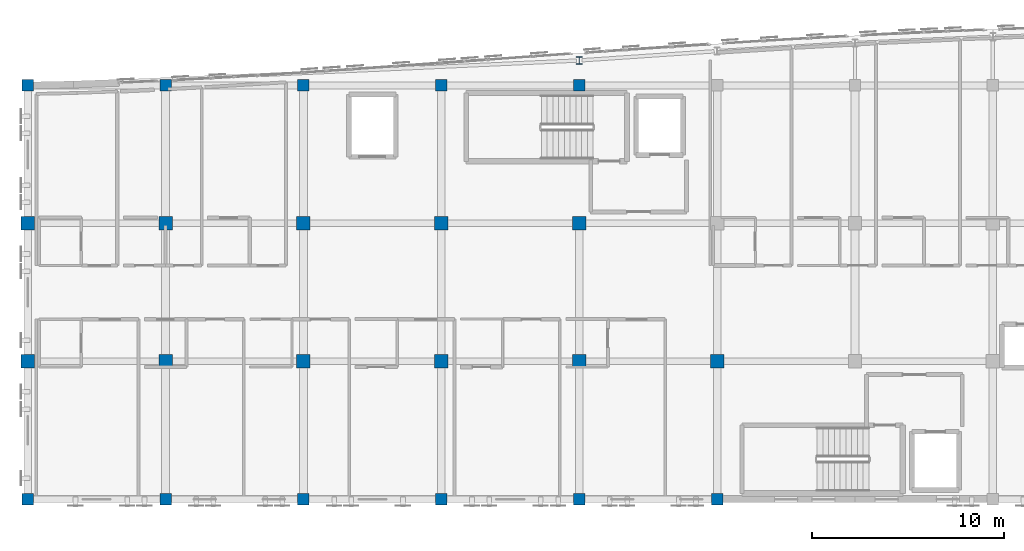
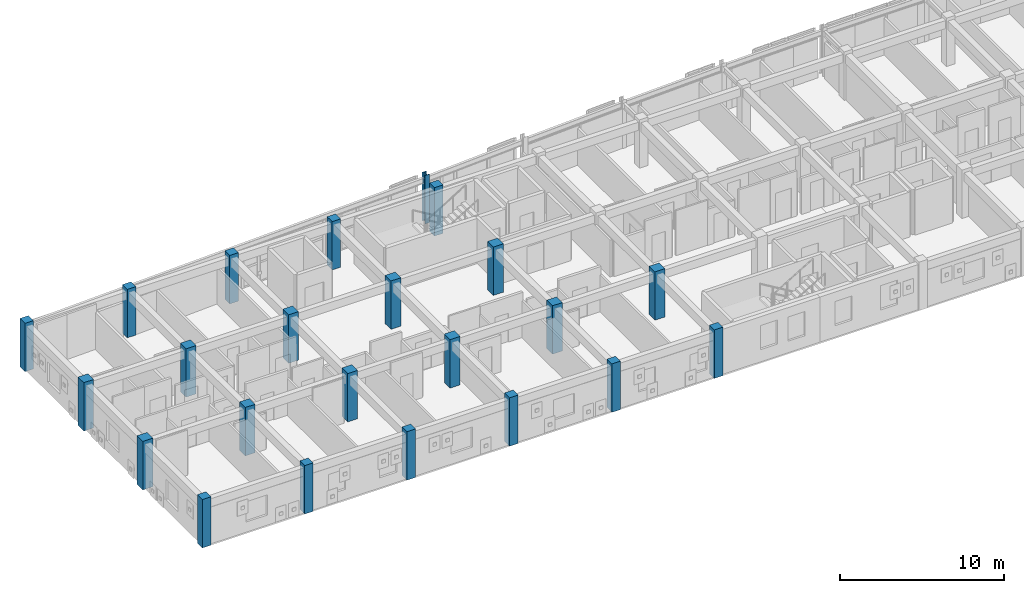
# One storey, part 1 of 48: 23 columns.
"""IFC4 building model written with IfcOpenShell, lengths in metres."""

from ifc_helpers import new_model, si_unit, direction, frame, origin, origin_2d, place, context, subcontext, project, spatial, rectangle, i_section, extrude, material, material_profile, profile_set, type_object, element, save


model = new_model("IFC4")

# Units and contexts
model_context = context("Model", 3, precision=1e-05, world=origin(), true_north=direction((0.0, 1.0)))
body_context = subcontext(model_context, "Body", "Model", "MODEL_VIEW")
ifc_project = project(units=[si_unit("LENGTHUNIT", "METRE"), si_unit("AREAUNIT", "SQUARE_METRE"), si_unit("VOLUMEUNIT", "CUBIC_METRE"), si_unit("PLANEANGLEUNIT", "RADIAN"), si_unit("MASSUNIT", "GRAM", prefix="KILO")], contexts=[model_context])

# Site, building, storey
site_placement = place(None, origin())
site = spatial("IfcSite", under=ifc_project, at=site_placement, CompositionType="ELEMENT")
building_placement = place(site_placement, origin())
building = spatial("IfcBuilding", under=site, at=building_placement, Name="Carrowvane Square Congress Hotel", CompositionType="ELEMENT")
storey_placement = place(building_placement, frame((0.0, 0.0, 26.39990234375)))
storey = spatial("IfcBuildingStorey", under=building, at=storey_placement, Name="L06", CompositionType="ELEMENT", Elevation=26.39990234375)

# Columns
ifc_material_1 = material(Name="Concrete C40/50", Category="concrete")
ifc_material_profile_1 = material_profile(ifc_material_1, rectangle(XDim=0.60009765625, YDim=0.60009765625, at=origin_2d()), Name="RC 600x600")
ifc_profile_set_1 = profile_set([ifc_material_profile_1], Name="Concrete C40/50")
column_type_1 = type_object("IfcColumnType", Name="COL-RC-600", PredefinedType="COLUMN", material=ifc_profile_set_1)
for number, where, z_axis, x_axis, name in (
    (1, (33.199951171875, 91.800048828125, 0.0), (0.0, 0.0, 1.0), (1.0, 0.0, 0.0), "L06 column 4/N"),
    (2, (33.199951171875, 113.39990234375, 0.0), (0.0, 0.0, 1.0), (1.0, 0.0, 0.0), "L06 column 4/R"),
    (3, (40.39990234375, 91.800048828125, 0.0), (0.0, 0.0, 1.0), (1.0, 0.0, 0.0), "L06 column 5/N"),
    (4, (40.39990234375, 113.39990234375, 0.0), (0.0, 0.0, 1.0), (1.0, 0.0, 0.0), "L06 column 5/R"),
    (5, (47.60009765625, 91.800048828125, 0.0), (0.0, 0.0, 1.0), (1.0, 0.0, 0.0), "L06 column 6/N"),
    (6, (47.60009765625, 113.39990234375, 0.0), (0.0, 0.0, 1.0), (1.0, 0.0, 0.0), "L06 column 6/R"),
    (7, (54.800048828125, 91.800048828125, 0.0), (0.0, 0.0, 1.0), (1.0, 0.0, 0.0), "L06 column 7/N"),
    (8, (54.800048828125, 113.39990234375, 0.0), (0.0, 0.0, 1.0), (1.0, 0.0, 0.0), "L06 column 7/R"),
    (9, (62.0, 91.800048828125, 0.0), (0.0, 0.0, 1.0), (1.0, 0.0, 0.0), "L06 column 8/N"),
    (10, (62.0, 113.39990234375, 0.0), (0.0, 0.0, 1.0), (1.0, 0.0, 0.0), "L06 column 8/R"),
    (11, (69.199951171875, 91.800048828125, 0.0), (0.0, 0.0, 1.0), (1.0, 0.0, 0.0), "L06 column 9/N"),
):
    element("IfcColumn", number, at=place(storey_placement, frame(where, z_axis=z_axis, x_axis=x_axis)), inside=storey, type_object=column_type_1, Name=name, PredefinedType="COLUMN", context=body_context, shape_type="SweptSolid", body=[
        extrude(rectangle(XDim=0.60009765625, YDim=0.60009765625, at=origin_2d()), origin(), (0.0, 0.0, 1.0), 3.60009765625),
    ])
ifc_material_2 = material(Name="Concrete C40/50", Category="concrete")
ifc_material_profile_2 = material_profile(ifc_material_2, rectangle(XDim=0.699951171875, YDim=0.699951171875, at=origin_2d()), Name="RC 700x700")
ifc_profile_set_2 = profile_set([ifc_material_profile_2], Name="Concrete C40/50")
column_type_2 = type_object("IfcColumnType", Name="COL-RC-700", PredefinedType="COLUMN", material=ifc_profile_set_2)
for number, where, z_axis, x_axis, name in (
    (12, (33.199951171875, 99.0, 0.0), (0.0, 0.0, 1.0), (1.0, 0.0, 0.0), "L06 column 4/P"),
    (13, (33.199951171875, 106.199951171875, 0.0), (0.0, 0.0, 1.0), (1.0, 0.0, 0.0), "L06 column 4/Q"),
    (14, (40.39990234375, 99.0, 0.0), (0.0, 0.0, 1.0), (1.0, 0.0, 0.0), "L06 column 5/P"),
    (15, (40.39990234375, 106.199951171875, 0.0), (0.0, 0.0, 1.0), (1.0, 0.0, 0.0), "L06 column 5/Q"),
    (16, (47.60009765625, 99.0, 0.0), (0.0, 0.0, 1.0), (1.0, 0.0, 0.0), "L06 column 6/P"),
    (17, (47.60009765625, 106.199951171875, 0.0), (0.0, 0.0, 1.0), (1.0, 0.0, 0.0), "L06 column 6/Q"),
    (18, (54.800048828125, 99.0, 0.0), (0.0, 0.0, 1.0), (1.0, 0.0, 0.0), "L06 column 7/P"),
    (19, (54.800048828125, 106.199951171875, 0.0), (0.0, 0.0, 1.0), (1.0, 0.0, 0.0), "L06 column 7/Q"),
    (20, (62.0, 99.0, 0.0), (0.0, 0.0, 1.0), (1.0, 0.0, 0.0), "L06 column 8/P"),
    (21, (62.0, 106.199951171875, 0.0), (0.0, 0.0, 1.0), (1.0, 0.0, 0.0), "L06 column 8/Q"),
    (22, (69.199951171875, 99.0, 0.0), (0.0, 0.0, 1.0), (1.0, 0.0, 0.0), "L06 column 9/P"),
):
    element("IfcColumn", number, at=place(storey_placement, frame(where, z_axis=z_axis, x_axis=x_axis)), inside=storey, type_object=column_type_2, Name=name, PredefinedType="COLUMN", context=body_context, shape_type="SweptSolid", body=[
        extrude(rectangle(XDim=0.699951171875, YDim=0.699951171875, at=origin_2d()), origin(), (0.0, 0.0, 1.0), 3.60009765625),
    ])
ifc_material_3 = material(Name="Steel S355", Category="steel")
ifc_material_profile_3 = material_profile(ifc_material_3, i_section(OverallWidth=0.300048828125, OverallDepth=0.39990234375, WebThickness=0.013427734375, FlangeThickness=0.02392578125, FilletRadius=0.027099609375, at=origin_2d()), Name="HEB 400")
ifc_profile_set_3 = profile_set([ifc_material_profile_3], Name="Steel S355")
column_type_3 = type_object("IfcColumnType", Name="COL-ST-HEB400", PredefinedType="COLUMN", material=ifc_profile_set_3)
column_placement = place(storey_placement, frame((62.0, 114.7060546875, 0.0), z_axis=(0.0, 0.0, 1.0), x_axis=(1.0, 0.0, 0.0)))
element("IfcColumn", 23, at=column_placement, inside=storey, type_object=column_type_3, Name="L06 column 8/ARC", PredefinedType="COLUMN", context=body_context, shape_type="SweptSolid", body=[
    extrude(i_section(OverallWidth=0.300048828125, OverallDepth=0.39990234375, WebThickness=0.013427734375, FlangeThickness=0.02392578125, FilletRadius=0.027099609375, at=origin_2d()), origin(), (0.0, 0.0, 1.0), 3.60009765625),
])

save(model, "model.ifc")
